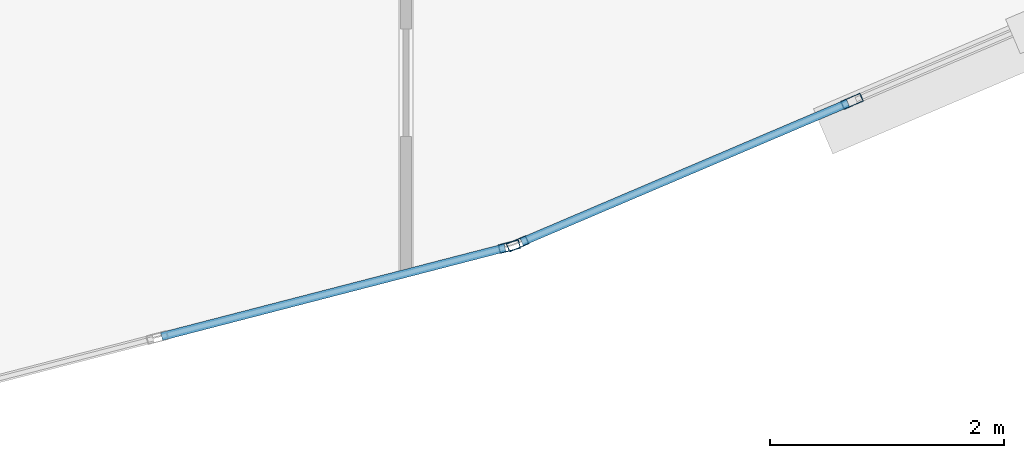
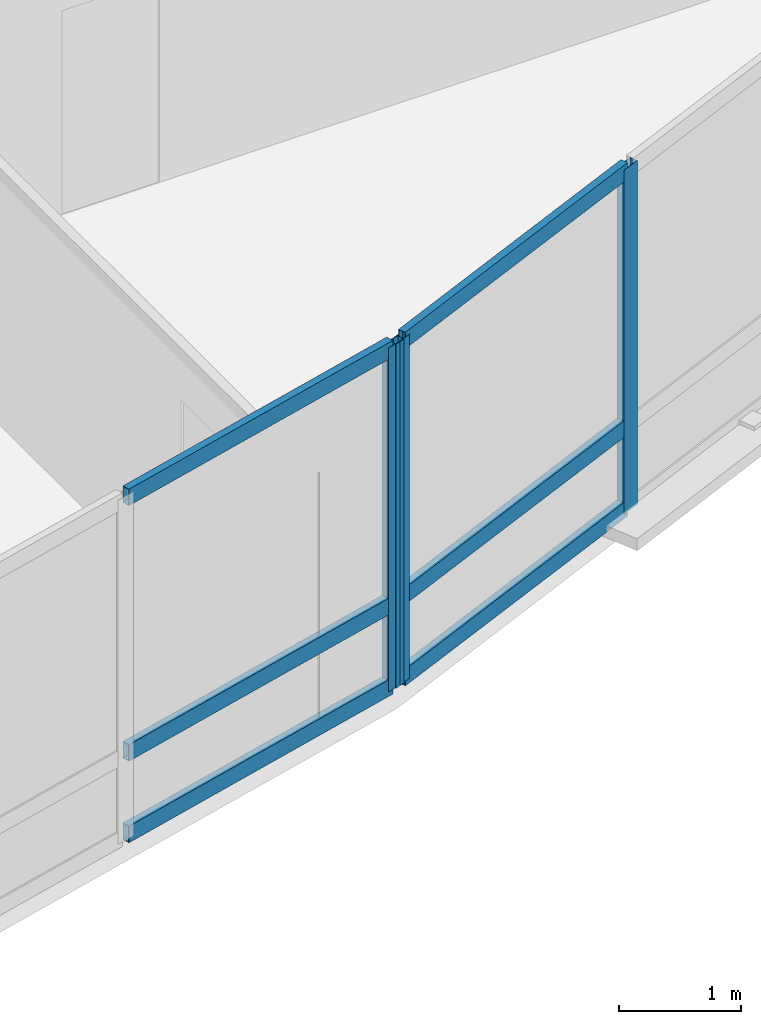
# One storey, part 6 of 20: 9 members, 2 elements without a shape of their own.
"""IFC4 building model written with IfcOpenShell, lengths in metres."""

from ifc_helpers import new_model, si_unit, direction, frame, origin, origin_2d, place, context, subcontext, project, spatial, hollow_rectangle, extrude, material, layer, layer_set, material_profile, profile_set, type_object, element, aggregate, save


model = new_model("IFC4")

# Units and contexts
model_context = context("Model", 3, precision=1e-05, world=origin(), true_north=direction((0.0, 1.0)))
body_context = subcontext(model_context, "Body", "Model", "MODEL_VIEW")
ifc_project = project(units=[si_unit("LENGTHUNIT", "METRE"), si_unit("AREAUNIT", "SQUARE_METRE"), si_unit("VOLUMEUNIT", "CUBIC_METRE"), si_unit("PLANEANGLEUNIT", "RADIAN"), si_unit("MASSUNIT", "GRAM", prefix="KILO")], contexts=[model_context])

# Site, building, storey
site_placement = place(None, origin())
site = spatial("IfcSite", under=ifc_project, at=site_placement, CompositionType="ELEMENT")
building_placement = place(site_placement, origin())
building = spatial("IfcBuilding", under=site, at=building_placement, Name="Menara Vayukalpa", CompositionType="ELEMENT")
storey_placement = place(building_placement, frame((0.0, 0.0, 64.800048828125)))
storey = spatial("IfcBuildingStorey", under=building, at=storey_placement, Name="L15", CompositionType="ELEMENT", Elevation=64.800048828125)

# Curtain wall, member
ifc_material_1 = material(Name="Anodised Terracotta Aluminium Alloy 6063-T6", Category="masonry")
ifc_layer = layer(ifc_material_1, 0.179931640625)
ifc_layer_set = layer_set([ifc_layer], Name="Anodised Terracotta Aluminium Alloy 6063-T6")
curtain_wall_type = type_object("IfcCurtainWallType", Name="CW-CW4", PredefinedType="USERDEFINED", material=ifc_layer_set)
curtain_wall_1_placement = place(storey_placement, origin())
curtain_wall_1 = element("IfcCurtainWall", 1, at=curtain_wall_1_placement, inside=storey, type_object=curtain_wall_type, Name="L15 Sky Bar Cantilever Glazed Curtain Wall CW4 16", ObjectType="UNITISED", PredefinedType="USERDEFINED")
ifc_material_2 = material(Name="Anodised Terracotta Aluminium Alloy 6063-T6", Category="masonry")
ifc_material_profile_1 = material_profile(ifc_material_2, hollow_rectangle(XDim=0.074951171875, YDim=0.179931640625, WallThickness=0.00390625, at=origin_2d()), Name="ALU 75x180x4")
ifc_profile_set_1 = profile_set([ifc_material_profile_1], Name="Anodised Terracotta Aluminium Alloy 6063-T6")
member_type_1 = type_object("IfcMemberType", Name="CWM-CW4", PredefinedType="MULLION", material=ifc_profile_set_1)
member_1_placement = place(storey_placement, frame((38.3837890625, 10.78466796875, 0.0), z_axis=(0.0, 0.0, 1.0), x_axis=(-0.25040286747, 0.968141727209, 0.0)))
member_1 = element("IfcMember", 2, at=member_1_placement, type_object=member_type_1, Name="CW4 mullion 4", PredefinedType="MULLION", context=body_context, shape_type="SweptSolid", body=[
    extrude(hollow_rectangle(XDim=0.074951171875, YDim=0.179931640625, WallThickness=0.00390625, at=origin_2d()), origin(), (0.0, 0.0, 1.0), 3.43994140625),
])

# Curtain wall, members
curtain_wall_2_placement = place(storey_placement, origin())
curtain_wall_2 = element("IfcCurtainWall", 3, at=curtain_wall_2_placement, inside=storey, type_object=curtain_wall_type, Name="L15 Sky Bar Cantilever Glazed Curtain Wall CW4 17", ObjectType="UNITISED", PredefinedType="USERDEFINED")
member_2_placement = place(storey_placement, frame((38.45458984375, 10.80859375, 0.0), z_axis=(0.0, 0.0, 1.0), x_axis=(-0.392008132718, 0.919961751315, 0.0)))
member_2 = element("IfcMember", 4, at=member_2_placement, type_object=member_type_1, Name="CW4 mullion 1", PredefinedType="MULLION", context=body_context, shape_type="SweptSolid", body=[
    extrude(hollow_rectangle(XDim=0.074951171875, YDim=0.179931640625, WallThickness=0.00390625, at=origin_2d()), origin(), (0.0, 0.0, 1.0), 3.43994140625),
])
member_3_placement = place(storey_placement, frame((41.3125, 12.026611328125, 0.0), z_axis=(0.0, 0.0, 1.0), x_axis=(-0.392008132718, 0.919961751315, 0.0)))
member_3 = element("IfcMember", 5, at=member_3_placement, type_object=member_type_1, Name="CW4 mullion 2", PredefinedType="MULLION", context=body_context, shape_type="SweptSolid", body=[
    extrude(hollow_rectangle(XDim=0.074951171875, YDim=0.179931640625, WallThickness=0.00390625, at=origin_2d()), origin(), (0.0, 0.0, 1.0), 3.43994140625),
])

# Member
ifc_material_3 = material(Name="Anodised Terracotta Aluminium Alloy 6063-T6", Category="masonry")
ifc_material_profile_2 = material_profile(ifc_material_3, hollow_rectangle(XDim=0.070068359375, YDim=0.1650390625, WallThickness=0.00390625, at=origin_2d()), Name="ALU 70x165x4")
ifc_profile_set_2 = profile_set([ifc_material_profile_2], Name="Anodised Terracotta Aluminium Alloy 6063-T6")
member_type_2 = type_object("IfcMemberType", Name="CWT-CW4", PredefinedType="USERDEFINED", material=ifc_profile_set_2)
member_4_placement = place(storey_placement, frame((35.412353515625, 10.01611328125, 0.034912109375), z_axis=(0.968149604166, 0.250372410527, 0.0), x_axis=(-0.250372410527, 0.968149604166, 0.0)))
member_4 = element("IfcMember", 6, at=member_4_placement, type_object=member_type_2, Name="CW4 transom 3.1", ObjectType="TRANSOM", PredefinedType="USERDEFINED", context=body_context, shape_type="SweptSolid", body=[
    extrude(hollow_rectangle(XDim=0.070068359375, YDim=0.1650390625, WallThickness=0.00390625, at=origin_2d()), origin(), (0.0, 0.0, 1.0), 3.03173828125),
])

member_5_placement = place(storey_placement, frame((35.412353515625, 10.01611328125, 0.849853515625), z_axis=(0.968149604166, 0.250372410527, 0.0), x_axis=(-0.250372410527, 0.968149604166, 0.0)))
member_5 = element("IfcMember", 7, at=member_5_placement, type_object=member_type_2, Name="CW4 transom 3.2", ObjectType="TRANSOM", PredefinedType="USERDEFINED", context=body_context, shape_type="SweptSolid", body=[
    extrude(hollow_rectangle(XDim=0.070068359375, YDim=0.1650390625, WallThickness=0.00390625, at=origin_2d()), origin(), (0.0, 0.0, 1.0), 3.03173828125),
])

member_6_placement = place(storey_placement, frame((35.412353515625, 10.01611328125, 3.405029296875), z_axis=(0.968149604166, 0.250372410527, 0.0), x_axis=(-0.250372410527, 0.968149604166, 0.0)))
member_6 = element("IfcMember", 8, at=member_6_placement, type_object=member_type_2, Name="CW4 transom 3.3", ObjectType="TRANSOM", PredefinedType="USERDEFINED", context=body_context, shape_type="SweptSolid", body=[
    extrude(hollow_rectangle(XDim=0.070068359375, YDim=0.1650390625, WallThickness=0.00390625, at=origin_2d()), origin(), (0.0, 0.0, 1.0), 3.03173828125),
])

aggregate(curtain_wall_1, [member_1, member_4, member_5, member_6])

member_7_placement = place(storey_placement, frame((38.489013671875, 10.823486328125, 0.034912109375), z_axis=(0.919988490059, 0.391945376498, 0.0), x_axis=(-0.391945376498, 0.919988490059, 0.0)))
member_7 = element("IfcMember", 9, at=member_7_placement, type_object=member_type_2, Name="CW4 transom 1.1", ObjectType="TRANSOM", PredefinedType="USERDEFINED", context=body_context, shape_type="SweptSolid", body=[
    extrude(hollow_rectangle(XDim=0.070068359375, YDim=0.1650390625, WallThickness=0.00390625, at=origin_2d()), origin(), (0.0, 0.0, 1.0), 3.03173828125),
])

member_8_placement = place(storey_placement, frame((38.489013671875, 10.823486328125, 0.849853515625), z_axis=(0.919988490059, 0.391945376498, 0.0), x_axis=(-0.391945376498, 0.919988490059, 0.0)))
member_8 = element("IfcMember", 10, at=member_8_placement, type_object=member_type_2, Name="CW4 transom 1.2", ObjectType="TRANSOM", PredefinedType="USERDEFINED", context=body_context, shape_type="SweptSolid", body=[
    extrude(hollow_rectangle(XDim=0.070068359375, YDim=0.1650390625, WallThickness=0.00390625, at=origin_2d()), origin(), (0.0, 0.0, 1.0), 3.03173828125),
])

member_9_placement = place(storey_placement, frame((38.489013671875, 10.823486328125, 3.405029296875), z_axis=(0.919988490059, 0.391945376498, 0.0), x_axis=(-0.391945376498, 0.919988490059, 0.0)))
member_9 = element("IfcMember", 11, at=member_9_placement, type_object=member_type_2, Name="CW4 transom 1.3", ObjectType="TRANSOM", PredefinedType="USERDEFINED", context=body_context, shape_type="SweptSolid", body=[
    extrude(hollow_rectangle(XDim=0.070068359375, YDim=0.1650390625, WallThickness=0.00390625, at=origin_2d()), origin(), (0.0, 0.0, 1.0), 3.03173828125),
])

aggregate(curtain_wall_2, [member_2, member_3, member_7, member_8, member_9])

save(model, "model.ifc")
